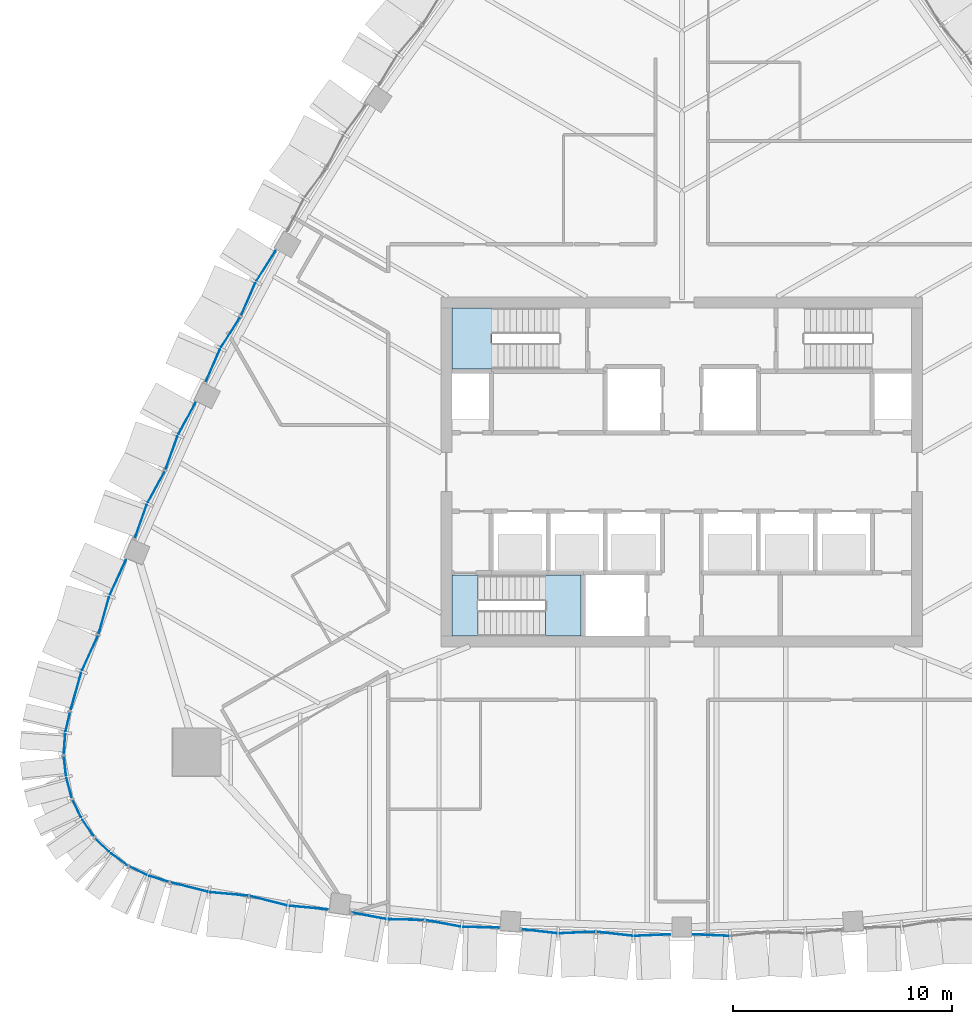
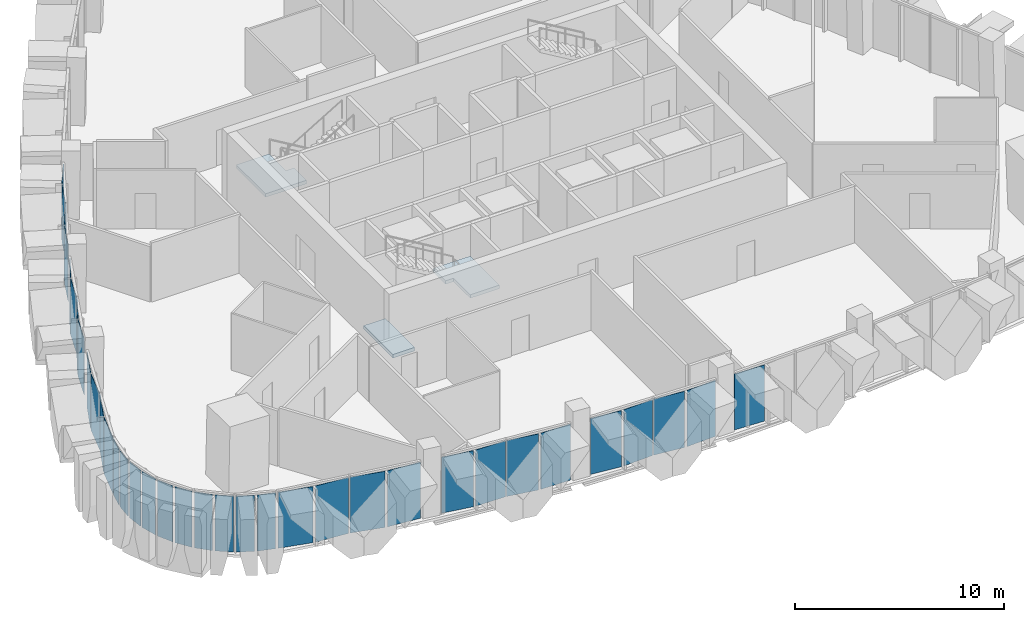
# One storey, part 8 of 19: 35 plates, 3 slabs, 14 elements without a shape of their own.
"""IFC4 building model written with IfcOpenShell, lengths in metres."""

from ifc_helpers import new_model, si_unit, direction, frame, origin, place, context, subcontext, project, spatial, polyline, outline, extrude, material, layer, layer_set, type_object, element, aggregate, save


model = new_model("IFC4")

# Units and contexts
model_context = context("Model", 3, precision=1e-05, world=origin(), true_north=direction((0.0, 1.0)))
body_context = subcontext(model_context, "Body", "Model", "MODEL_VIEW")
ifc_project = project(units=[si_unit("LENGTHUNIT", "METRE"), si_unit("AREAUNIT", "SQUARE_METRE"), si_unit("VOLUMEUNIT", "CUBIC_METRE"), si_unit("PLANEANGLEUNIT", "RADIAN"), si_unit("MASSUNIT", "GRAM", prefix="KILO")], contexts=[model_context])

# Site, building, storey
site_placement = place(None, origin())
site = spatial("IfcSite", under=ifc_project, at=site_placement, CompositionType="ELEMENT")
building_placement = place(site_placement, origin())
building = spatial("IfcBuilding", under=site, at=building_placement, Name="Sierra Prisma Convention Tower", CompositionType="ELEMENT")
storey_placement = place(building_placement, frame((0.0, 0.0, 235.0)))
storey = spatial("IfcBuildingStorey", under=building, at=storey_placement, Name="L52", CompositionType="ELEMENT", Elevation=235.0)

# Curtain wall, plates
ifc_material_1 = material(Name="Aluminium and glass curtain wall", Category="aluminium")
ifc_layer_1 = layer(ifc_material_1, 0.179931640625)
ifc_layer_set_1 = layer_set([ifc_layer_1], Name="CW-2 Faceted crystal curtain wall")
curtain_wall_type = type_object("IfcCurtainWallType", Name="CW-2 Faceted crystal curtain wall", PredefinedType="NOTDEFINED", material=ifc_layer_set_1)
curtain_wall_1_placement = place(storey_placement, origin())
curtain_wall_1 = element("IfcCurtainWall", 1, at=curtain_wall_1_placement, inside=storey, type_object=curtain_wall_type, Name="CW-2 S1 L52", PredefinedType="NOTDEFINED")
ifc_material_2 = material(Name="Tinted glass bronze-grey IGU", Category="glass")
ifc_layer_2 = layer(ifc_material_2, 0.028076171875)
ifc_layer_set_2 = layer_set([ifc_layer_2], Name="CW-2 crystal pane")
plate_type = type_object("IfcPlateType", Name="CW-2 crystal pane", PredefinedType="CURTAIN_PANEL", material=ifc_layer_set_2)
plate_1_placement = place(storey_placement, frame((-23.34375, -18.755859375, 0.0), z_axis=(-0.246396545227, -0.969169099023, 0.0), x_axis=(0.969169099023, -0.246396545227, 0.0)))
plate_1 = element("IfcPlate", 2, at=plate_1_placement, type_object=plate_type, Name="CW-2 pane S1.1.1", PredefinedType="CURTAIN_PANEL", context=body_context, shape_type="SweptSolid", body=[
    extrude(outline(polyline([(0.0, 0.0), (1.7399226807537667, 0.0), (1.7399226807537667, 3.280029296875001), (0.0, 3.280029296875001), (0.0, 0.0)])), origin(), (0.0, 0.0, -1.0), 0.028076171875),
])
plate_2_placement = place(storey_placement, frame((-19.797119140625, -19.3662109375, 0.0), z_axis=(-0.091762815784, -0.995780892385, 0.0), x_axis=(-0.995780892385, 0.091762815784, 0.0)))
plate_2 = element("IfcPlate", 3, at=plate_2_placement, type_object=plate_type, Name="CW-2 pane S1.1.2", PredefinedType="CURTAIN_PANEL", context=body_context, shape_type="SweptSolid", body=[
    extrude(outline(polyline([(0.0, 0.0), (1.740007293647519, 0.0), (1.740007293647519, -3.280029296875), (0.0, -3.280029296875), (0.0, 0.0)])), origin(), (0.0, 0.0, -1.0), 0.028076171875),
])
plate_3_placement = place(storey_placement, frame((-19.728271484375, -19.378173828125, 0.0), z_axis=(-0.246528336512, -0.969135583547, 0.0), x_axis=(0.969135583547, -0.246528336512, 0.0)))
plate_3 = element("IfcPlate", 4, at=plate_3_placement, type_object=plate_type, Name="CW-2 pane S1.2.1", PredefinedType="CURTAIN_PANEL", context=body_context, shape_type="SweptSolid", body=[
    extrude(outline(polyline([(0.0, 0.0), (1.7399828522483975, 0.0), (1.7399828522483975, 3.280029296875), (0.0, 3.280029296875), (0.0, 0.0)])), origin(), (0.0, 0.0, -1.0), 0.028076171875),
])
plate_4_placement = place(storey_placement, frame((-16.181640625, -19.98876953125, 0.0), z_axis=(-0.091762815784, -0.995780892385, 0.0), x_axis=(-0.995780892385, 0.091762815784, 0.0)))
plate_4 = element("IfcPlate", 5, at=plate_4_placement, type_object=plate_type, Name="CW-2 pane S1.2.2", PredefinedType="CURTAIN_PANEL", context=body_context, shape_type="SweptSolid", body=[
    extrude(outline(polyline([(0.0, 0.0), (1.740007293647519, 0.0), (1.740007293647519, -3.280029296875), (0.0, -3.280029296875), (0.0, 0.0)])), origin(), (0.0, 0.0, -1.0), 0.028076171875),
])
aggregate(curtain_wall_1, [plate_1, plate_2, plate_3, plate_4])

curtain_wall_2_placement = place(storey_placement, origin())
curtain_wall_2 = element("IfcCurtainWall", 6, at=curtain_wall_2_placement, inside=storey, type_object=curtain_wall_type, Name="CW-2 S2 L52", PredefinedType="NOTDEFINED")
plate_5_placement = place(storey_placement, frame((-15.108154296875, -20.134521484375, 0.0), z_axis=(-0.179908903722, -0.98368327543, 0.0), x_axis=(0.98368327543, -0.179908903722, 0.0)))
plate_5 = element("IfcPlate", 7, at=plate_5_placement, type_object=plate_type, Name="CW-2 pane S2.1.1", PredefinedType="CURTAIN_PANEL", context=body_context, shape_type="SweptSolid", body=[
    extrude(outline(polyline([(0.0, 0.0), (1.61621508641013, 0.0), (1.61621508641013, 3.280029296875), (0.0, 3.280029296875), (0.0, 0.0)])), origin(), (0.0, 0.0, -1.0), 0.028076171875),
])
plate_6_placement = place(storey_placement, frame((-11.77392578125, -20.476806640625, 0.0), z_axis=(-0.023720088611, -0.999718639116, 0.0), x_axis=(-0.999718639116, 0.023720088611, 0.0)))
plate_6 = element("IfcPlate", 8, at=plate_6_placement, type_object=plate_type, Name="CW-2 pane S2.1.2", PredefinedType="CURTAIN_PANEL", context=body_context, shape_type="SweptSolid", body=[
    extrude(outline(polyline([(0.0, 0.0), (1.6159331760116264, 0.0), (1.6159331760116264, -3.280029296875), (0.0, -3.280029296875), (0.0, 0.0)])), origin(), (0.0, 0.0, -1.0), 0.028076171875),
])
plate_7_placement = place(storey_placement, frame((-11.704345703125, -20.48388671875, 0.0), z_axis=(-0.179935640699, -0.983678385046, 0.0), x_axis=(0.983678385046, -0.179935640699, 0.0)))
plate_7 = element("IfcPlate", 9, at=plate_7_placement, type_object=plate_type, Name="CW-2 pane S2.2.1", PredefinedType="CURTAIN_PANEL", context=body_context, shape_type="SweptSolid", body=[
    extrude(outline(polyline([(0.0, 0.0), (1.6159749299573907, 0.0), (1.6159749299573907, 3.280029296875), (0.0, 3.280029296875), (0.0, 0.0)])), origin(), (0.0, 0.0, -1.0), 0.028076171875),
])
plate_8_placement = place(storey_placement, frame((-8.3701171875, -20.826171875, 0.0), z_axis=(-0.023720088611, -0.999718639116, 0.0), x_axis=(-0.999718639116, 0.023720088611, 0.0)))
plate_8 = element("IfcPlate", 10, at=plate_8_placement, type_object=plate_type, Name="CW-2 pane S2.2.2", PredefinedType="CURTAIN_PANEL", context=body_context, shape_type="SweptSolid", body=[
    extrude(outline(polyline([(0.0, 0.0), (1.6159331760116264, 0.0), (1.6159331760116264, -3.280029296875), (0.0, -3.280029296875), (0.0, 0.0)])), origin(), (0.0, 0.0, -1.0), 0.028076171875),
])
aggregate(curtain_wall_2, [plate_5, plate_6, plate_7, plate_8])

curtain_wall_3_placement = place(storey_placement, origin())
curtain_wall_3 = element("IfcCurtainWall", 11, at=curtain_wall_3_placement, inside=storey, type_object=curtain_wall_type, Name="CW-2 S3 L52", PredefinedType="NOTDEFINED")
plate_9_placement = place(storey_placement, frame((-7.32080078125, -20.8974609375, 0.0), z_axis=(-0.112461006471, -0.993656138724, 0.0), x_axis=(0.993656138724, -0.112461006471, 0.0)))
plate_9 = element("IfcPlate", 12, at=plate_9_placement, type_object=plate_type, Name="CW-2 pane S3.1.1", PredefinedType="CURTAIN_PANEL", context=body_context, shape_type="SweptSolid", body=[
    extrude(outline(polyline([(0.0, 0.0), (1.6238267220864326, 0.0), (1.6238267220864326, 3.280029296875), (0.0, 3.280029296875), (0.0, 0.0)])), origin(), (0.0, 0.0, -1.0), 0.028076171875),
])
plate_10_placement = place(storey_placement, frame((-3.955322265625, -21.01220703125, 0.0), z_axis=(0.044500642482, -0.999009355721, 0.0), x_axis=(-0.999009355721, -0.044500642482, 0.0)))
plate_10 = element("IfcPlate", 13, at=plate_10_placement, type_object=plate_type, Name="CW-2 pane S3.1.2", PredefinedType="CURTAIN_PANEL", context=body_context, shape_type="SweptSolid", body=[
    extrude(outline(polyline([(0.0, 0.0), (1.6239231833356247, 0.0), (1.6239231833356247, -3.280029296875), (0.0, -3.280029296875), (0.0, 0.0)])), origin(), (0.0, 0.0, -1.0), 0.028076171875),
])
plate_11_placement = place(storey_placement, frame((-3.88525390625, -21.0146484375, 0.0), z_axis=(-0.112461006471, -0.993656138724, 0.0), x_axis=(0.993656138724, -0.112461006471, 0.0)))
plate_11 = element("IfcPlate", 14, at=plate_11_placement, type_object=plate_type, Name="CW-2 pane S3.2.1", PredefinedType="CURTAIN_PANEL", context=body_context, shape_type="SweptSolid", body=[
    extrude(outline(polyline([(0.0, 0.0), (1.6238267220864326, 0.0), (1.6238267220864326, 3.280029296875), (0.0, 3.280029296875), (0.0, 0.0)])), origin(), (0.0, 0.0, -1.0), 0.028076171875),
])
plate_12_placement = place(storey_placement, frame((-0.519775390625, -21.12939453125, 0.0), z_axis=(0.044500642482, -0.999009355721, 0.0), x_axis=(-0.999009355721, -0.044500642482, 0.0)))
plate_12 = element("IfcPlate", 15, at=plate_12_placement, type_object=plate_type, Name="CW-2 pane S3.2.2", PredefinedType="CURTAIN_PANEL", context=body_context, shape_type="SweptSolid", body=[
    extrude(outline(polyline([(0.0, 0.0), (1.6239231833356247, 0.0), (1.6239231833356247, -3.280029296875), (0.0, -3.280029296875), (0.0, 0.0)])), origin(), (0.0, 0.0, -1.0), 0.028076171875),
])
aggregate(curtain_wall_3, [plate_9, plate_10, plate_11, plate_12])

# Curtain wall, plate
curtain_wall_4_placement = place(storey_placement, origin())
curtain_wall_4 = element("IfcCurtainWall", 16, at=curtain_wall_4_placement, inside=storey, type_object=curtain_wall_type, Name="CW-2 S4 L52", PredefinedType="NOTDEFINED")
plate_13_placement = place(storey_placement, frame((0.519775390625, -21.12939453125, 0.0), z_axis=(-0.044500642482, -0.999009355721, 0.0), x_axis=(0.999009355721, -0.044500642482, 0.0)))
plate_13 = element("IfcPlate", 17, at=plate_13_placement, type_object=plate_type, Name="CW-2 pane S4.1.1", PredefinedType="CURTAIN_PANEL", context=body_context, shape_type="SweptSolid", body=[
    extrude(outline(polyline([(0.0, 0.0), (1.6239231833356247, 0.0), (1.6239231833356247, 3.280029296875), (0.0, 3.280029296875), (0.0, 0.0)])), origin(), (0.0, 0.0, -1.0), 0.028076171875),
])
aggregate(curtain_wall_4, [plate_13])

# Curtain wall, plates
curtain_wall_5_placement = place(storey_placement, origin())
curtain_wall_5 = element("IfcCurtainWall", 18, at=curtain_wall_5_placement, inside=storey, type_object=curtain_wall_type, Name="CW-2 NW4 L52", PredefinedType="NOTDEFINED")
plate_14_placement = place(storey_placement, frame((-18.558349609375, 10.11474609375, 0.0), z_axis=(-0.842961369264, 0.537974097824, 0.0), x_axis=(-0.537974097824, -0.842961369264, 0.0)))
plate_14 = element("IfcPlate", 19, at=plate_14_placement, type_object=plate_type, Name="CW-2 pane NW4.1.1", PredefinedType="CURTAIN_PANEL", context=body_context, shape_type="SweptSolid", body=[
    extrude(outline(polyline([(0.0, 0.0), (1.6242032848977865, 0.0), (1.6242032848977865, 3.280029296875), (0.0, 3.280029296875), (0.0, 0.0)])), origin(), (0.0, 0.0, -1.0), 0.028076171875),
])
plate_15_placement = place(storey_placement, frame((-20.141845703125, 7.142578125, 0.0), z_axis=(-0.916756670449, 0.399446125514, 0.0), x_axis=(0.399446125514, 0.916756670449, 0.0)))
plate_15 = element("IfcPlate", 20, at=plate_15_placement, type_object=plate_type, Name="CW-2 pane NW4.1.2", PredefinedType="CURTAIN_PANEL", context=body_context, shape_type="SweptSolid", body=[
    extrude(outline(polyline([(0.0, 0.0), (1.623952766573673, 0.0), (1.623952766573673, -3.280029296875), (0.0, -3.280029296875), (0.0, 0.0)])), origin(), (0.0, 0.0, -1.0), 0.028076171875),
])
plate_16_placement = place(storey_placement, frame((-20.1748046875, 7.080810546875, 0.0), z_axis=(-0.842986036319, 0.537935444614, 0.0), x_axis=(-0.537935444614, -0.842986036319, 0.0)))
plate_16 = element("IfcPlate", 21, at=plate_16_placement, type_object=plate_type, Name="CW-2 pane NW4.2.1", PredefinedType="CURTAIN_PANEL", context=body_context, shape_type="SweptSolid", body=[
    extrude(outline(polyline([(0.0, 0.0), (1.623866144156884, 0.0), (1.623866144156884, 3.280029296875), (0.0, 3.280029296875), (0.0, 0.0)])), origin(), (0.0, 0.0, -1.0), 0.028076171875),
])
plate_17_placement = place(storey_placement, frame((-21.758056640625, 4.108642578125, 0.0), z_axis=(-0.916756670449, 0.399446125514, 0.0), x_axis=(0.399446125514, 0.916756670449, 0.0)))
plate_17 = element("IfcPlate", 22, at=plate_17_placement, type_object=plate_type, Name="CW-2 pane NW4.2.2", PredefinedType="CURTAIN_PANEL", context=body_context, shape_type="SweptSolid", body=[
    extrude(outline(polyline([(0.0, 0.0), (1.623952766573673, 0.0), (1.623952766573673, -3.280029296875), (0.0, -3.280029296875), (0.0, 0.0)])), origin(), (0.0, 0.0, -1.0), 0.028076171875),
])
aggregate(curtain_wall_5, [plate_14, plate_15, plate_16, plate_17])

curtain_wall_6_placement = place(storey_placement, origin())
curtain_wall_6 = element("IfcCurtainWall", 23, at=curtain_wall_6_placement, inside=storey, type_object=curtain_wall_type, Name="CW-2 NW5 L52", PredefinedType="NOTDEFINED")
plate_18_placement = place(storey_placement, frame((-22.22119140625, 3.164306640625, 0.0), z_axis=(-0.877676064865, 0.479254342873, 0.0), x_axis=(-0.479254342873, -0.877676064865, 0.0)))
plate_18 = element("IfcPlate", 24, at=plate_18_placement, type_object=plate_type, Name="CW-2 pane NW5.1.1", PredefinedType="CURTAIN_PANEL", context=body_context, shape_type="SweptSolid", body=[
    extrude(outline(polyline([(0.0, 0.0), (1.615872811619984, 0.0), (1.615872811619984, 3.280029296875001), (0.0, 3.280029296875001), (0.0, 0.0)])), origin(), (0.0, 0.0, -1.0), 0.028076171875),
])
plate_19_placement = place(storey_placement, frame((-23.591796875, 0.105712890625, 0.0), z_axis=(-0.941810252503, 0.336144981043, 0.0), x_axis=(0.336144981043, 0.941810252503, 0.0)))
plate_19 = element("IfcPlate", 25, at=plate_19_placement, type_object=plate_type, Name="CW-2 pane NW5.1.2", PredefinedType="CURTAIN_PANEL", context=body_context, shape_type="SweptSolid", body=[
    extrude(outline(polyline([(0.0, 0.0), (1.616007738506796, 0.0), (1.616007738506796, -3.280029296875), (0.0, -3.280029296875), (0.0, 0.0)])), origin(), (0.0, 0.0, -1.0), 0.028076171875),
])
plate_20_placement = place(storey_placement, frame((-23.620361328125, 0.0419921875, 0.0), z_axis=(-0.877647219446, 0.479307164768, 0.0), x_axis=(-0.479307164768, -0.877647219446, 0.0)))
plate_20 = element("IfcPlate", 26, at=plate_20_placement, type_object=plate_type, Name="CW-2 pane NW5.2.1", PredefinedType="CURTAIN_PANEL", context=body_context, shape_type="SweptSolid", body=[
    extrude(outline(polyline([(0.0, 0.0), (1.6162040963849267, 0.0), (1.6162040963849267, 3.280029296875), (0.0, 3.280029296875), (0.0, 0.0)])), origin(), (0.0, 0.0, -1.0), 0.028076171875),
])
plate_21_placement = place(storey_placement, frame((-24.990966796875, -3.0166015625, 0.0), z_axis=(-0.941858073886, 0.336010965082, 0.0), x_axis=(0.336010965082, 0.941858073886, 0.0)))
plate_21 = element("IfcPlate", 27, at=plate_21_placement, type_object=plate_type, Name="CW-2 pane NW5.2.2", PredefinedType="CURTAIN_PANEL", context=body_context, shape_type="SweptSolid", body=[
    extrude(outline(polyline([(0.0, 0.0), (1.6159256882199886, 0.0), (1.6159256882199886, -3.280029296875001), (0.0, -3.280029296875001), (0.0, 0.0)])), origin(), (0.0, 0.0, -1.0), 0.028076171875),
])
aggregate(curtain_wall_6, [plate_18, plate_19, plate_20, plate_21])

curtain_wall_7_placement = place(storey_placement, origin())
curtain_wall_7 = element("IfcCurtainWall", 28, at=curtain_wall_7_placement, inside=storey, type_object=curtain_wall_type, Name="CW-2 NW6 L52", PredefinedType="NOTDEFINED")
plate_22_placement = place(storey_placement, frame((-25.401611328125, -4.019287109375, 0.0), z_axis=(-0.908254845322, 0.418417418315, 0.0), x_axis=(-0.418417418315, -0.908254845322, 0.0)))
plate_22 = element("IfcPlate", 29, at=plate_22_placement, type_object=plate_type, Name="CW-2 pane NW6.1.1", PredefinedType="CURTAIN_PANEL", context=body_context, shape_type="SweptSolid", body=[
    extrude(outline(polyline([(0.0, 0.0), (1.7399546765585057, 0.0), (1.7399546765585057, 3.280029296875), (0.0, 3.280029296875), (0.0, 0.0)])), origin(), (0.0, 0.0, -1.0), 0.028076171875),
])
plate_23_placement = place(storey_placement, frame((-26.646240234375, -7.39599609375, 0.0), z_axis=(-0.962518261534, 0.2712168804, 0.0), x_axis=(0.2712168804, 0.962518261534, 0.0)))
plate_23 = element("IfcPlate", 30, at=plate_23_placement, type_object=plate_type, Name="CW-2 pane NW6.1.2", PredefinedType="CURTAIN_PANEL", context=body_context, shape_type="SweptSolid", body=[
    extrude(outline(polyline([(0.0, 0.0), (1.7400238046716854, 0.0), (1.7400238046716854, -3.280029296875), (0.0, -3.280029296875), (0.0, 0.0)])), origin(), (0.0, 0.0, -1.0), 0.028076171875),
])
plate_24_placement = place(storey_placement, frame((-26.67041015625, -7.461669921875, 0.0), z_axis=(-0.908308164692, 0.418301659037, 0.0), x_axis=(-0.418301659037, -0.908308164692, 0.0)))
plate_24 = element("IfcPlate", 31, at=plate_24_placement, type_object=plate_type, Name="CW-2 pane NW6.2.1", PredefinedType="CURTAIN_PANEL", context=body_context, shape_type="SweptSolid", body=[
    extrude(outline(polyline([(0.0, 0.0), (1.7398525379988439, 0.0), (1.7398525379988439, 3.280029296875001), (0.0, 3.280029296875001), (0.0, 0.0)])), origin(), (0.0, 0.0, -1.0), 0.028076171875),
])
plate_25_placement = place(storey_placement, frame((-27.914794921875, -10.83837890625, 0.0), z_axis=(-0.962554881926, 0.271086885114, 0.0), x_axis=(0.271086885114, 0.962554881926, 0.0)))
plate_25 = element("IfcPlate", 32, at=plate_25_placement, type_object=plate_type, Name="CW-2 pane NW6.2.2", PredefinedType="CURTAIN_PANEL", context=body_context, shape_type="SweptSolid", body=[
    extrude(outline(polyline([(0.0, 0.0), (1.7399576054812573, 0.0), (1.7399576054812573, -3.280029296875001), (0.0, -3.280029296875001), (0.0, 0.0)])), origin(), (0.0, 0.0, -1.0), 0.028076171875),
])
aggregate(curtain_wall_7, [plate_22, plate_23, plate_24, plate_25])

curtain_wall_8_placement = place(storey_placement, origin())
curtain_wall_8 = element("IfcCurtainWall", 33, at=curtain_wall_8_placement, inside=storey, type_object=curtain_wall_type, Name="CW-2 SW1 L52", PredefinedType="NOTDEFINED")
plate_26_placement = place(storey_placement, frame((-27.949462890625, -10.973388671875, 0.0), z_axis=(-0.973820857159, 0.227316823314, 0.0), x_axis=(-0.227316823314, -0.973820857159, 0.0)))
plate_26 = element("IfcPlate", 34, at=plate_26_placement, type_object=plate_type, Name="CW-2 pane SW1.1.1", PredefinedType="CURTAIN_PANEL", context=body_context, shape_type="SweptSolid", body=[
    extrude(outline(polyline([(0.0, 0.0), (0.884984543013425, 0.0), (0.884984543013425, 3.280029296875001), (0.0, 3.280029296875001), (0.0, 0.0)])), origin(), (0.0, 0.0, -1.0), 0.028076171875),
])
plate_27_placement = place(storey_placement, frame((-28.233642578125, -12.84619140625, 0.0), z_axis=(-0.997405215701, 0.071991914076, 0.0), x_axis=(0.071991914076, 0.997405215701, 0.0)))
plate_27 = element("IfcPlate", 35, at=plate_27_placement, type_object=plate_type, Name="CW-2 pane SW1.1.2", PredefinedType="CURTAIN_PANEL", context=body_context, shape_type="SweptSolid", body=[
    extrude(outline(polyline([(0.0, 0.0), (0.8851091673703275, 0.0), (0.8851091673703275, -3.280029296875), (0.0, -3.280029296875), (0.0, 0.0)])), origin(), (0.0, 0.0, -1.0), 0.028076171875),
])
aggregate(curtain_wall_8, [plate_26, plate_27])

curtain_wall_9_placement = place(storey_placement, origin())
curtain_wall_9 = element("IfcCurtainWall", 36, at=curtain_wall_9_placement, inside=storey, type_object=curtain_wall_type, Name="CW-2 SW2 L52", PredefinedType="NOTDEFINED")
plate_28_placement = place(storey_placement, frame((-28.231201171875, -12.984130859375, 0.0), z_axis=(-0.994166345795, -0.107857669591, 0.0), x_axis=(0.107857669591, -0.994166345795, 0.0)))
plate_28 = element("IfcPlate", 37, at=plate_28_placement, type_object=plate_type, Name="CW-2 pane SW2.1.1", PredefinedType="CURTAIN_PANEL", context=body_context, shape_type="SweptSolid", body=[
    extrude(outline(polyline([(0.0, 0.0), (0.8850458640267276, 0.0), (0.8850458640267276, 3.280029296875), (0.0, 3.280029296875), (0.0, 0.0)])), origin(), (0.0, 0.0, -1.0), 0.028076171875),
])
plate_29_placement = place(storey_placement, frame((-27.8798828125, -14.845703125, 0.0), z_axis=(-0.965132060483, -0.261763453958, 0.0), x_axis=(-0.261763453958, 0.965132060483, 0.0)))
plate_29 = element("IfcPlate", 38, at=plate_29_placement, type_object=plate_type, Name="CW-2 pane SW2.1.2", PredefinedType="CURTAIN_PANEL", context=body_context, shape_type="SweptSolid", body=[
    extrude(outline(polyline([(0.0, 0.0), (0.8851100091396062, 0.0), (0.8851100091396062, -3.280029296875), (0.0, -3.280029296875), (0.0, 0.0)])), origin(), (0.0, 0.0, -1.0), 0.028076171875),
])
aggregate(curtain_wall_9, [plate_28, plate_29])

curtain_wall_10_placement = place(storey_placement, origin())
curtain_wall_10 = element("IfcCurtainWall", 39, at=curtain_wall_10_placement, inside=storey, type_object=curtain_wall_type, Name="CW-2 SW3 L52", PredefinedType="NOTDEFINED")
plate_30_placement = place(storey_placement, frame((-27.831787109375, -14.97509765625, 0.0), z_axis=(-0.902549261235, -0.43058661271, 0.0), x_axis=(0.43058661271, -0.902549261235, 0.0)))
plate_30 = element("IfcPlate", 40, at=plate_30_placement, type_object=plate_type, Name="CW-2 pane SW3.1.1", PredefinedType="CURTAIN_PANEL", context=body_context, shape_type="SweptSolid", body=[
    extrude(outline(polyline([(0.0, 0.0), (0.8850798059569264, 0.0), (0.8850798059569264, 3.280029296875), (0.0, 3.280029296875), (0.0, 0.0)])), origin(), (0.0, 0.0, -1.0), 0.028076171875),
])
plate_31_placement = place(storey_placement, frame((-26.884521484375, -16.615478515625, 0.0), z_axis=(-0.823985577929, -0.566610772369, 0.0), x_axis=(-0.566610772369, 0.823985577929, 0.0)))
plate_31 = element("IfcPlate", 41, at=plate_31_placement, type_object=plate_type, Name="CW-2 pane SW3.1.2", PredefinedType="CURTAIN_PANEL", context=body_context, shape_type="SweptSolid", body=[
    extrude(outline(polyline([(0.0, 0.0), (0.8850252557911633, 0.0), (0.8850252557911633, -3.280029296875), (0.0, -3.280029296875), (0.0, 0.0)])), origin(), (0.0, 0.0, -1.0), 0.028076171875),
])
aggregate(curtain_wall_10, [plate_30, plate_31])

curtain_wall_11_placement = place(storey_placement, origin())
curtain_wall_11 = element("IfcCurtainWall", 42, at=curtain_wall_11_placement, inside=storey, type_object=curtain_wall_type, Name="CW-2 SW4 L52", PredefinedType="NOTDEFINED")
plate_32_placement = place(storey_placement, frame((-26.796630859375, -16.7216796875, 0.0), z_axis=(-0.709447491188, -0.70475829704, 0.0), x_axis=(0.70475829704, -0.709447491188, 0.0)))
plate_32 = element("IfcPlate", 43, at=plate_32_placement, type_object=plate_type, Name="CW-2 pane SW4.1.1", PredefinedType="CURTAIN_PANEL", context=body_context, shape_type="SweptSolid", body=[
    extrude(outline(polyline([(0.0, 0.0), (0.8850967764339203, 0.0), (0.8850967764339203, 3.280029296875), (0.0, 3.280029296875), (0.0, 0.0)])), origin(), (0.0, 0.0, -1.0), 0.028076171875),
])
plate_33_placement = place(storey_placement, frame((-25.360107421875, -17.956787109375, 0.0), z_axis=(-0.590514375743, -0.807027119768, 0.0), x_axis=(-0.807027119768, 0.590514375743, 0.0)))
plate_33 = element("IfcPlate", 44, at=plate_33_placement, type_object=plate_type, Name="CW-2 pane SW4.1.2", PredefinedType="CURTAIN_PANEL", context=body_context, shape_type="SweptSolid", body=[
    extrude(outline(polyline([(0.0, 0.0), (0.8851690993424334, 0.0), (0.8851690993424334, -3.280029296875), (0.0, -3.280029296875), (0.0, 0.0)])), origin(), (0.0, 0.0, -1.0), 0.028076171875),
])
aggregate(curtain_wall_11, [plate_32, plate_33])

curtain_wall_12_placement = place(storey_placement, origin())
curtain_wall_12 = element("IfcCurtainWall", 45, at=curtain_wall_12_placement, inside=storey, type_object=curtain_wall_type, Name="CW-2 SW5 L52", PredefinedType="NOTDEFINED")
plate_34_placement = place(storey_placement, frame((-25.241943359375, -18.02783203125, 0.0), z_axis=(-0.436591520843, -0.899659849014, 0.0), x_axis=(0.899659849014, -0.436591520843, 0.0)))
plate_34 = element("IfcPlate", 46, at=plate_34_placement, type_object=plate_type, Name="CW-2 pane SW5.1.1", PredefinedType="CURTAIN_PANEL", context=body_context, shape_type="SweptSolid", body=[
    extrude(outline(polyline([(0.0, 0.0), (0.8852086926216611, 0.0), (0.8852086926216611, 3.280029296875), (0.0, 3.280029296875), (0.0, 0.0)])), origin(), (0.0, 0.0, -1.0), 0.028076171875),
])
plate_35_placement = place(storey_placement, frame((-23.47802734375, -18.718505859375, 0.0), z_axis=(-0.290459053156, -0.95688742203, 0.0), x_axis=(-0.95688742203, 0.290459053156, 0.0)))
plate_35 = element("IfcPlate", 47, at=plate_35_placement, type_object=plate_type, Name="CW-2 pane SW5.1.2", PredefinedType="CURTAIN_PANEL", context=body_context, shape_type="SweptSolid", body=[
    extrude(outline(polyline([(0.0, 0.0), (0.8850819946279896, 0.0), (0.8850819946279896, -3.280029296875), (0.0, -3.280029296875), (0.0, 0.0)])), origin(), (0.0, 0.0, -1.0), 0.028076171875),
])
aggregate(curtain_wall_12, [plate_34, plate_35])

# Stair, slab
ifc_material_3 = material(Name="Concrete C30/37", Category="concrete")
stair_type = type_object("IfcStairType", Name="Stair dog-leg 1200 RC", PredefinedType="HALF_TURN_STAIR", material=ifc_material_3)
stair_1_placement = place(storey_placement, origin())
stair_1 = element("IfcStair", 48, at=stair_1_placement, inside=storey, type_object=stair_type, Name="L52 S1", PredefinedType="HALF_TURN_STAIR")
ifc_material_4 = material(Name="Concrete C35/45", Category="concrete")
ifc_layer_3 = layer(ifc_material_4, 0.199951171875)
ifc_layer_set_3 = layer_set([ifc_layer_3], Name="Stair landing slab")
slab_type = type_object("IfcSlabType", Name="Stair landing slab", PredefinedType="LANDING", material=ifc_layer_set_3)
slab_1_placement = place(storey_placement, frame((0.0, 0.0, 1.800048828125)))
slab_1 = element("IfcSlab", 49, at=slab_1_placement, type_object=slab_type, Name="S1 landing 1", PredefinedType="LANDING", context=body_context, shape_type="SweptSolid", body=[
    extrude(outline(polyline([(-4.60009765625, -4.699951171875), (-4.60009765625, -7.5), (-6.221923828125, -7.5), (-6.221923828125, -5.89990234375), (-6.669921875, -5.89990234375), (-6.669921875, -4.699951171875), (-4.60009765625, -4.699951171875)])), origin(), (0.0, 0.0, 1.0), 0.199951171875),
])
aggregate(stair_1, [slab_1])

# Slab
slab_2_placement = place(storey_placement, frame((0.0, 0.0, -0.199951171875)))
element("IfcSlab", 50, at=slab_2_placement, inside=storey, type_object=slab_type, Name="S1 floor landing L52", PredefinedType="LANDING", context=body_context, shape_type="SweptSolid", body=[
    extrude(outline(polyline([(-10.5, -7.5), (-9.298095703125, -7.5), (-9.298095703125, -4.699951171875), (-10.5, -4.699951171875), (-10.5, -7.5)])), origin(), (0.0, 0.0, 1.0), 0.199951171875),
])

# Stair, slab
stair_2_placement = place(storey_placement, origin())
stair_2 = element("IfcStair", 51, at=stair_2_placement, inside=storey, type_object=stair_type, Name="L52 S3", PredefinedType="HALF_TURN_STAIR")
slab_3_placement = place(storey_placement, frame((0.0, 0.0, 1.800048828125)))
slab_3 = element("IfcSlab", 52, at=slab_3_placement, type_object=slab_type, Name="S3 landing 1", PredefinedType="LANDING", context=body_context, shape_type="SweptSolid", body=[
    extrude(outline(polyline([(-8.22998046875, 5.89990234375), (-8.22998046875, 4.699951171875), (-10.5, 4.699951171875), (-10.5, 7.5), (-8.677978515625, 7.5), (-8.677978515625, 5.89990234375), (-8.22998046875, 5.89990234375)])), origin(), (0.0, 0.0, 1.0), 0.199951171875),
])
aggregate(stair_2, [slab_3])

save(model, "model.ifc")
